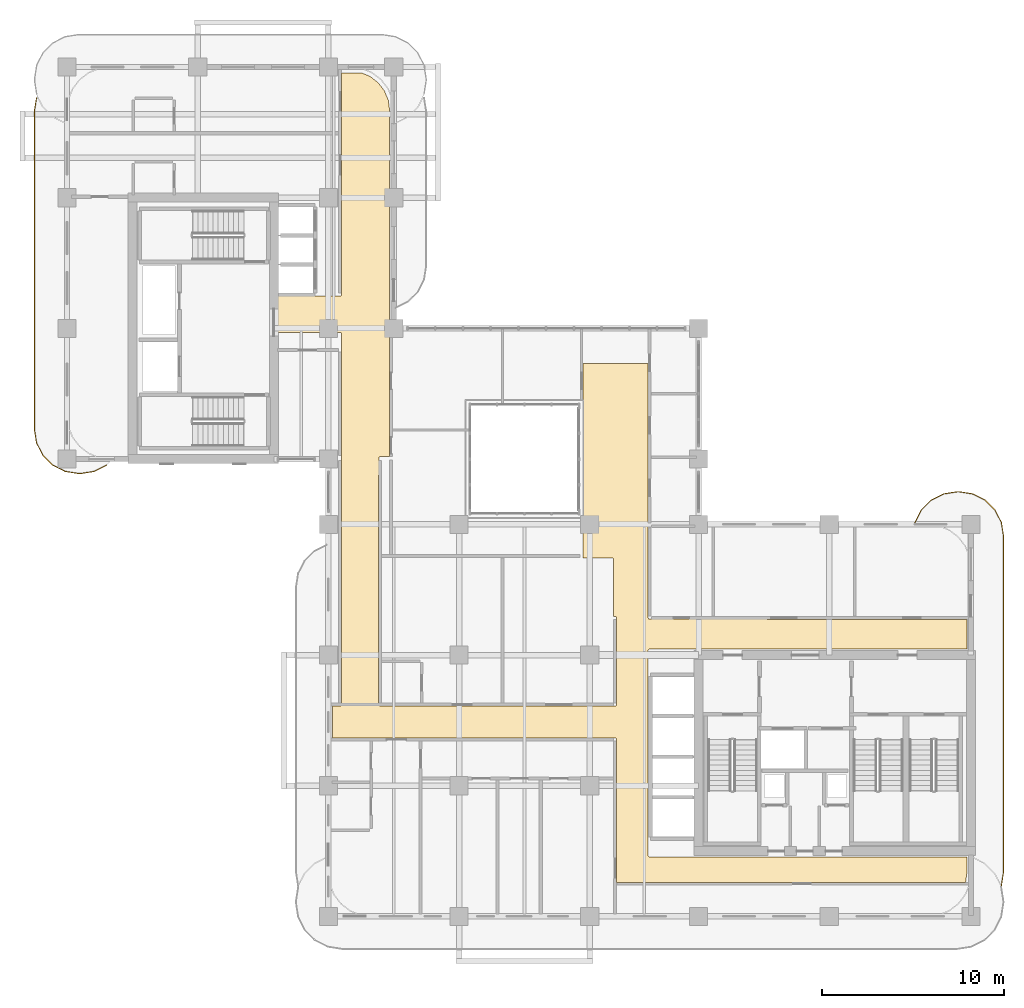
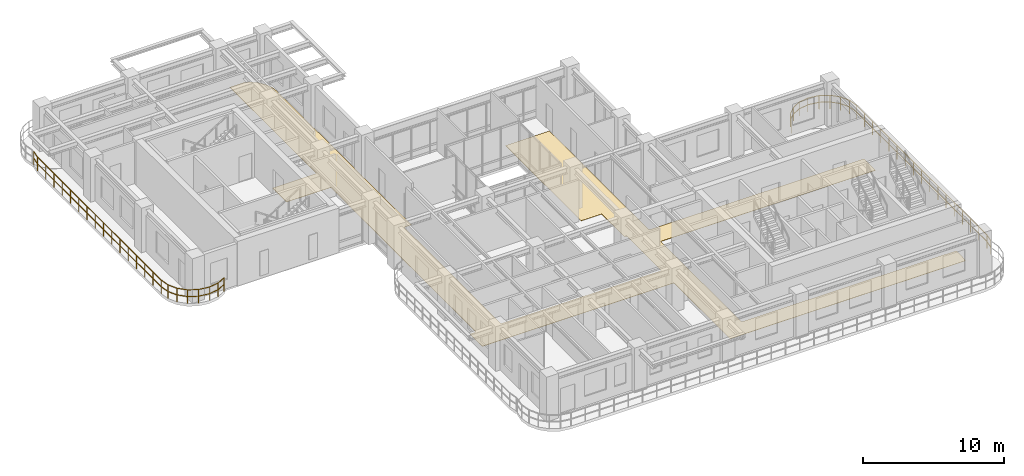
# One storey, part 19 of 20: 2 railings, 1 covering.
"""IFC4 building model written with IfcOpenShell, lengths in metres."""

import ifcopenshell
import ifcopenshell.guid

model = None  # the IFC model being written
_history = None  # IfcOwnerHistory: only IFC2X3 demands one
_inside = {}  # id of a spatial element -> (the spatial element, [elements in it])
_under = {}  # id of a project, library or spatial element -> (it, [spatial elements below it])
_declared = {}  # id of a project -> (the project, [libraries it declares])
_typed = {}  # id of a type object -> (the type object, [elements of that type])
_made_of = {}  # id of a material, layer set ... -> (it, [elements and type objects made of it])


def new_model(schema):
    """Start an empty IFC model of exactly this schema.

    Asked for "IFC4X3", IfcOpenShell would pick the latest addendum, in which some entities
    have other attributes; the version numbers below select the first issue.
    IFC2X3 requires an IfcOwnerHistory on every rooted entity: one is made here for all.
    """
    global model, _history
    if schema == "IFC4X3":
        model = ifcopenshell.file(schema_version=(4, 3, 0, 0))
    else:
        model = ifcopenshell.file(schema=schema)
    _inside.clear()
    _under.clear()
    _declared.clear()
    _typed.clear()
    _made_of.clear()
    _history = None
    if model.schema == "IFC2X3":
        org = make("IfcOrganization", Name="unknown")
        user = make(
            "IfcPersonAndOrganization",
            ThePerson=make("IfcPerson", FamilyName="unknown"),
            TheOrganization=org,
        )
        app = make(
            "IfcApplication",
            ApplicationDeveloper=org,
            Version="unknown",
            ApplicationFullName="unknown",
            ApplicationIdentifier="unknown",
        )
        _history = make(
            "IfcOwnerHistory",
            OwningUser=user,
            OwningApplication=app,
            ChangeAction="ADDED",
            CreationDate=0,
        )
    return model


def make(cls, **values):
    """One entity of the class cls with the attributes given. An attribute that is None is left unset."""
    return model.create_entity(
        cls, **{name: value for name, value in values.items() if value is not None}
    )


def rooted(cls, **values):
    """An entity with a GlobalId (a new one), such as an element, a storey or a relation."""
    return make(cls, GlobalId=ifcopenshell.guid.new(), OwnerHistory=_history, **values)


def si_unit(unit_type, name, prefix=None):
    """IfcSIUnit, for example si_unit("LENGTHUNIT", "METRE", prefix="MILLI")."""
    return make("IfcSIUnit", UnitType=unit_type, Prefix=prefix, Name=name)


def derived_unit(unit_type, elements):
    """IfcDerivedUnit: a product of units, each with its exponent."""
    return make(
        "IfcDerivedUnit",
        Elements=[
            make("IfcDerivedUnitElement", Unit=unit, Exponent=power)
            for unit, power in elements
        ],
        UnitType=unit_type,
    )


def assignment(units):
    """IfcUnitAssignment: the units of a project."""
    return None if units is None else make("IfcUnitAssignment", Units=units)


def point(xyz):
    """IfcCartesianPoint."""
    return None if xyz is None else make("IfcCartesianPoint", Coordinates=xyz)


def direction(xyz):
    """IfcDirection."""
    return None if xyz is None else make("IfcDirection", DirectionRatios=xyz)


def frame(location, z_axis=None, x_axis=None):
    """IfcAxis2Placement3D, a coordinate frame: its origin and axes. An axis left out is left unset."""
    return make(
        "IfcAxis2Placement3D",
        Location=point(location),
        Axis=direction(z_axis),
        RefDirection=direction(x_axis),
    )


def frame_2d(location, x_axis=None):
    """IfcAxis2Placement2D, a coordinate frame in the plane: its origin and x axis."""
    return make(
        "IfcAxis2Placement2D", Location=point(location), RefDirection=direction(x_axis)
    )


def origin():
    """The frame at (0, 0, 0) with its axes left unset."""
    return frame((0.0, 0.0, 0.0))


def origin_2d():
    """The frame at (0, 0) in the plane with its x axis left unset."""
    return frame_2d((0.0, 0.0))


def place(relative_to, where):
    """IfcLocalPlacement: puts the frame where relative to a parent placement (None: the world)."""
    return make(
        "IfcLocalPlacement", PlacementRelTo=relative_to, RelativePlacement=where
    )


def context(
    kind, dimensions, precision=None, world=None, true_north=None, identifier=None
):
    """IfcGeometricRepresentationContext, for example the 3D "Model" context."""
    return make(
        "IfcGeometricRepresentationContext",
        ContextIdentifier=identifier,
        ContextType=kind,
        CoordinateSpaceDimension=dimensions,
        Precision=precision,
        WorldCoordinateSystem=world,
        TrueNorth=true_north,
    )


def subcontext(parent, identifier, kind, view, scale=None):
    """IfcGeometricRepresentationSubContext, for example "Body" below "Model"."""
    return make(
        "IfcGeometricRepresentationSubContext",
        ContextIdentifier=identifier,
        ContextType=kind,
        ParentContext=parent,
        TargetScale=scale,
        TargetView=view,
    )


def project(units=None, contexts=None):
    """IfcProject with its units and contexts."""
    return rooted(
        "IfcProject",
        Name="project",
        RepresentationContexts=contexts,
        UnitsInContext=assignment(units),
    )


def spatial(cls, under=None, at=None, **own):
    """A site, building, storey or space (cls), placed at a placement, below another one or the project."""
    s = rooted(cls, ObjectPlacement=at, **own)
    if under is not None:
        _under.setdefault(under.id(), (under, []))[1].append(s)
    return s


def polyline(points):
    """IfcPolyline through the points."""
    return make("IfcPolyline", Points=[point(p) for p in points])


def profile(cls, at=None, kind="AREA", **sizes):
    """A parametric profile (cls). Its sizes go by their IFC names, for example OverallWidth=200.0."""
    return make(cls, ProfileType=kind, Position=at, **sizes)


def rectangle(**sizes):
    """IfcRectangleProfileDef."""
    return profile("IfcRectangleProfileDef", **sizes)


def outline(outer, holes=None, kind="AREA"):
    """IfcArbitraryClosedProfileDef: a profile drawn as a closed curve; with holes, ...WithVoids."""
    if holes is None:
        return make("IfcArbitraryClosedProfileDef", ProfileType=kind, OuterCurve=outer)
    return make(
        "IfcArbitraryProfileDefWithVoids",
        ProfileType=kind,
        OuterCurve=outer,
        InnerCurves=holes,
    )


def extrude(swept, where, along, depth):
    """IfcExtrudedAreaSolid: the profile swept, set in the frame where, extruded along a direction by depth."""
    return make(
        "IfcExtrudedAreaSolid",
        SweptArea=swept,
        Position=where,
        ExtrudedDirection=direction(along),
        Depth=depth,
    )


def shape(context_of_items, identifier, shape_type, items):
    """IfcShapeRepresentation: the items that make up one representation, for example the "Body"."""
    return make(
        "IfcShapeRepresentation",
        ContextOfItems=context_of_items,
        RepresentationIdentifier=identifier,
        RepresentationType=shape_type,
        Items=items,
    )


def material(Name=None, Category=None):
    """IfcMaterial."""
    return make("IfcMaterial", Name=Name, Category=Category)


def layer(
    of_material, thickness, ventilated=None, Name=None, Category=None, Priority=None
):
    """IfcMaterialLayer: one layer of a wall or slab, of a material (None: an air gap)."""
    return make(
        "IfcMaterialLayer",
        Material=of_material,
        LayerThickness=thickness,
        IsVentilated=ventilated,
        Name=Name,
        Category=Category,
        Priority=Priority,
    )


def layer_set(layers, Name=None):
    """IfcMaterialLayerSet."""
    return make("IfcMaterialLayerSet", MaterialLayers=layers, LayerSetName=Name)


def made_of(thing, what):
    """Note that an element or type object is made of a material, layer set ...; save() writes the relation."""
    if what is not None:
        _made_of.setdefault(what.id(), (what, []))[1].append(thing)
    return thing


def type_object(cls, material=None, **own):
    """A type object (cls), such as IfcWallType, which elements share."""
    return made_of(rooted(cls, **own), material)


def element(
    cls,
    number,
    at=None,
    inside=None,
    cuts=None,
    type_object=None,
    material=None,
    context=None,
    identifier="Body",
    shape_type=None,
    held_by="IfcProductDefinitionShape",
    body=None,
    shapes=None,
    **own,
):
    """One element of the class cls, such as IfcWall. Its Tag is "e" and its number.

    at: its placement. inside: the storey or other place that contains it. cuts: it is an
    opening in that element (IfcRelVoidsElement). A single representation is given by context,
    identifier, shape_type and body (its items); several are given by shapes. held_by: the class
    of the entity that holds the representations. save() writes the other relations.
    """
    e = rooted(cls, Tag="e%d" % number, ObjectPlacement=at, **own)
    if body is not None:
        shapes = [shape(context, identifier, shape_type, body)]
    if shapes is not None:
        e.Representation = make(held_by, Representations=shapes)
    if inside is not None:
        _inside.setdefault(inside.id(), (inside, []))[1].append(e)
    if cuts is not None:
        rooted(
            "IfcRelVoidsElement", RelatingBuildingElement=cuts, RelatedOpeningElement=e
        )
    if type_object is not None:
        _typed.setdefault(type_object.id(), (type_object, []))[1].append(e)
    return made_of(e, material)


def aggregate(whole, parts):
    """IfcRelAggregates: a whole, such as a stair, and the parts it consists of."""
    return rooted("IfcRelAggregates", RelatingObject=whole, RelatedObjects=parts)


def save(model, path):
    """Write the relations noted so far, then the file.

    IfcRelAggregates (storeys below a building ...), IfcRelContainedInSpatialStructure (elements
    in a storey), IfcRelDefinesByType, IfcRelAssociatesMaterial and IfcRelDeclares: one each for
    every whole, place, type object, material and project.
    """
    for whole, parts in _under.values():
        aggregate(whole, parts)
    for where, things in _inside.values():
        rooted(
            "IfcRelContainedInSpatialStructure",
            RelatedElements=things,
            RelatingStructure=where,
        )
    for kind, things in _typed.values():
        rooted("IfcRelDefinesByType", RelatedObjects=things, RelatingType=kind)
    for what, things in _made_of.values():
        rooted("IfcRelAssociatesMaterial", RelatedObjects=things, RelatingMaterial=what)
    for by, libraries in _declared.values():
        rooted("IfcRelDeclares", RelatingContext=by, RelatedDefinitions=libraries)
    model.write(path)


model = new_model("IFC4")

# Units and contexts
model_context = context("Model", 3, precision=1e-05, world=origin(), true_north=direction((0.0, 1.0)))
body_context = subcontext(model_context, "Body", "Model", "MODEL_VIEW")
ifc_project = project(units=[si_unit("LENGTHUNIT", "METRE"), si_unit("AREAUNIT", "SQUARE_METRE"), si_unit("VOLUMEUNIT", "CUBIC_METRE"), si_unit("PLANEANGLEUNIT", "RADIAN"), si_unit("MASSUNIT", "GRAM", prefix="KILO"), si_unit("THERMODYNAMICTEMPERATUREUNIT", "KELVIN"), si_unit("POWERUNIT", "WATT"), derived_unit("THERMALTRANSMITTANCEUNIT", [(si_unit("POWERUNIT", "WATT"), 1), (si_unit("AREAUNIT", "SQUARE_METRE"), -1), (si_unit("THERMODYNAMICTEMPERATUREUNIT", "KELVIN"), -1)])], contexts=[model_context])

# Site, building, storey
site_placement = place(None, origin())
site = spatial("IfcSite", under=ifc_project, at=site_placement, CompositionType="ELEMENT")
building_placement = place(site_placement, origin())
building = spatial("IfcBuilding", under=site, at=building_placement, Name="Zahravan Archway Hotel and Residences", CompositionType="ELEMENT")
storey_placement = place(building_placement, frame((0.0, 0.0, 173.39990234375)))
storey = spatial("IfcBuildingStorey", under=building, at=storey_placement, Name="L43", CompositionType="ELEMENT", Elevation=173.39990234375)

# Covering
ifc_material_1 = material(Name="Engineered Walnut Parquet Flooring")
ifc_layer = layer(ifc_material_1, 0.02197265625, Name="Engineered Walnut Parquet Flooring")
ifc_layer_set = layer_set([ifc_layer], Name="Engineered Walnut Parquet Flooring")
covering_type = type_object("IfcCoveringType", Name="COV-FLR-TIMB", PredefinedType="FLOORING", material=ifc_layer_set)
covering_placement = place(storey_placement, origin())
element("IfcCovering", 1, at=covering_placement, inside=storey, type_object=covering_type, Name="L43 Circulation Floor Finish", PredefinedType="FLOORING", context=body_context, shape_type="SweptSolid", body=[
    extrude(outline(polyline([(32.09228515625, 14.7294921875), (32.04931640625, 14.7119140625), (32.0234375, 14.673095703125), (32.02001953125, 3.35009765625), (32.033447265625, 3.3056640625), (32.0693359375, 3.276123046875), (49.580078125, 3.27001953125), (49.580078125, 2.414306640625), (49.509521484375, 1.8798828125), (30.280029296875, 1.8798828125), (30.280029296875, 9.75), (30.2666015625, 9.79443359375), (30.230712890625, 9.823974609375), (14.6201171875, 9.830078125), (14.6201171875, 11.590087890625), (15.050048828125, 11.590087890625), (15.094482421875, 11.603515625), (15.123779296875, 11.639404296875), (15.1298828125, 32.10009765625), (15.116455078125, 32.144287109375), (15.08056640625, 32.173828125), (11.530029296875, 32.179931640625), (11.530029296875, 34.169921875), (15.050048828125, 34.169921875), (15.094482421875, 34.18359375), (15.123779296875, 34.219482421875), (15.1298828125, 46.469970703125), (16.24560546875, 46.469970703125), (16.689208984375, 46.286376953125), (17.14013671875, 45.940185546875), (17.486328125, 45.489013671875), (17.703857421875, 44.9638671875), (17.77001953125, 44.46142578125), (17.77001953125, 25.330078125), (17.25, 25.330078125), (17.20556640625, 25.31640625), (17.176025390625, 25.280517578125), (17.169921875, 11.669921875), (17.18359375, 11.62548828125), (17.219482421875, 11.59619140625), (30.199951171875, 11.590087890625), (30.244384765625, 11.603515625), (30.27392578125, 11.639404296875), (30.280029296875, 16.449951171875), (30.2666015625, 16.494384765625), (30.230712890625, 16.52392578125), (30.10009765625, 16.530029296875), (30.10009765625, 19.719970703125), (30.072998046875, 19.75), (28.429931640625, 19.75), (28.429931640625, 30.469970703125), (32.02001953125, 30.469970703125), (32.02001953125, 16.449951171875), (32.033447265625, 16.405517578125), (32.0693359375, 16.376220703125), (49.580078125, 16.3701171875), (49.580078125, 14.72998046875), (32.10009765625, 14.72998046875), (32.09228515625, 14.7294921875)])), origin(), (0.0, 0.0, 1.0), 0.022216796875),
])

# Railings
ifc_material_2 = material(Name="Bronze & Laminated Glass Balustrade", Category="glass")
railing_type = type_object("IfcRailingType", Name="RL-BAL-1200", PredefinedType="BALUSTRADE", material=ifc_material_2)
railing_1_placement = place(storey_placement, frame((46.719970703125, 21.70703125, 0.0)))
element("IfcRailing", 2, at=railing_1_placement, inside=storey, type_object=railing_type, Name="L43 Balustrade RL-SLB-BAL-L43-EA-1", PredefinedType="BALUSTRADE", context=body_context, shape_type="SweptSolid", body=[
    extrude(rectangle(XDim=0.048095703125, YDim=0.048095703125, at=origin_2d()), frame((0.0, 0.0, 1.17578125), z_axis=(0.453825591531, 0.891090529897, 0.0), x_axis=(-0.891090529897, 0.453825591531, 0.0)), (0.0, 0.0, 1.0), 0.7666015625),
    extrude(rectangle(XDim=0.048095703125, YDim=0.048095703125, at=origin_2d()), frame((0.0, 0.0, 0.60009765625), z_axis=(0.453825591531, 0.891090529897, 0.0), x_axis=(-0.891090529897, 0.453825591531, 0.0)), (0.0, 0.0, 1.0), 0.7666015625),
    extrude(rectangle(XDim=0.048095703125, YDim=0.048095703125, at=origin_2d()), frame((0.347900390625, 0.68310546875, 1.17578125), z_axis=(0.707106781187, 0.707106781187, 0.0), x_axis=(-0.707106781187, 0.707106781187, 0.0)), (0.0, 0.0, 1.0), 0.7666015625),
    extrude(rectangle(XDim=0.048095703125, YDim=0.048095703125, at=origin_2d()), frame((0.347900390625, 0.68310546875, 0.60009765625), z_axis=(0.707106781187, 0.707106781187, 0.0), x_axis=(-0.707106781187, 0.707106781187, 0.0)), (0.0, 0.0, 1.0), 0.7666015625),
    extrude(rectangle(XDim=0.048095703125, YDim=0.048095703125, at=origin_2d()), frame((0.889892578125, 1.22509765625, 1.17578125), z_axis=(0.891090529897, 0.453825591531, 0.0), x_axis=(-0.453825591531, 0.891090529897, 0.0)), (0.0, 0.0, 1.0), 0.7666015625),
    extrude(rectangle(XDim=0.048095703125, YDim=0.048095703125, at=origin_2d()), frame((0.889892578125, 1.22509765625, 0.60009765625), z_axis=(0.891090529897, 0.453825591531, 0.0), x_axis=(-0.453825591531, 0.891090529897, 0.0)), (0.0, 0.0, 1.0), 0.7666015625),
    extrude(rectangle(XDim=0.048095703125, YDim=0.048095703125, at=origin_2d()), frame((1.572998046875, 1.572998046875, 1.17578125), z_axis=(0.987695728695, 0.156387811283, 0.0), x_axis=(-0.156387811283, 0.987695728695, 0.0)), (0.0, 0.0, 1.0), 0.7666015625),
    extrude(rectangle(XDim=0.048095703125, YDim=0.048095703125, at=origin_2d()), frame((1.572998046875, 1.572998046875, 0.60009765625), z_axis=(0.987695728695, 0.156387811283, 0.0), x_axis=(-0.156387811283, 0.987695728695, 0.0)), (0.0, 0.0, 1.0), 0.7666015625),
    extrude(rectangle(XDim=0.048095703125, YDim=0.048095703125, at=origin_2d()), frame((2.330078125, 1.69287109375, 1.17578125), z_axis=(1.0, 0.0, 0.0), x_axis=(0.0, 1.0, 0.0)), (0.0, 0.0, 1.0), 0.099853515625),
    extrude(rectangle(XDim=0.048095703125, YDim=0.048095703125, at=origin_2d()), frame((2.330078125, 1.69287109375, 0.60009765625), z_axis=(1.0, 0.0, 0.0), x_axis=(0.0, 1.0, 0.0)), (0.0, 0.0, 1.0), 0.099853515625),
    extrude(rectangle(XDim=0.048095703125, YDim=0.048095703125, at=origin_2d()), frame((2.429931640625, 1.69287109375, 1.17578125), z_axis=(0.987695728695, -0.156387811283, 0.0), x_axis=(0.156387811283, 0.987695728695, 0.0)), (0.0, 0.0, 1.0), 0.7666015625),
    extrude(rectangle(XDim=0.048095703125, YDim=0.048095703125, at=origin_2d()), frame((2.429931640625, 1.69287109375, 0.60009765625), z_axis=(0.987695728695, -0.156387811283, 0.0), x_axis=(0.156387811283, 0.987695728695, 0.0)), (0.0, 0.0, 1.0), 0.7666015625),
    extrude(rectangle(XDim=0.048095703125, YDim=0.048095703125, at=origin_2d()), frame((3.18701171875, 1.572998046875, 1.17578125), z_axis=(0.891090529897, -0.453825591531, 0.0), x_axis=(0.453825591531, 0.891090529897, 0.0)), (0.0, 0.0, 1.0), 0.7666015625),
    extrude(rectangle(XDim=0.048095703125, YDim=0.048095703125, at=origin_2d()), frame((3.18701171875, 1.572998046875, 0.60009765625), z_axis=(0.891090529897, -0.453825591531, 0.0), x_axis=(0.453825591531, 0.891090529897, 0.0)), (0.0, 0.0, 1.0), 0.7666015625),
    extrude(rectangle(XDim=0.048095703125, YDim=0.048095703125, at=origin_2d()), frame((3.8701171875, 1.22509765625, 1.17578125), z_axis=(0.707106781187, -0.707106781187, 0.0), x_axis=(0.707106781187, 0.707106781187, 0.0)), (0.0, 0.0, 1.0), 0.7666015625),
    extrude(rectangle(XDim=0.048095703125, YDim=0.048095703125, at=origin_2d()), frame((3.8701171875, 1.22509765625, 0.60009765625), z_axis=(0.707106781187, -0.707106781187, 0.0), x_axis=(0.707106781187, 0.707106781187, 0.0)), (0.0, 0.0, 1.0), 0.7666015625),
    extrude(rectangle(XDim=0.048095703125, YDim=0.048095703125, at=origin_2d()), frame((4.412109375, 0.68310546875, 1.17578125), z_axis=(0.453825591531, -0.891090529897, 0.0), x_axis=(0.891090529897, 0.453825591531, 0.0)), (0.0, 0.0, 1.0), 0.7666015625),
    extrude(rectangle(XDim=0.048095703125, YDim=0.048095703125, at=origin_2d()), frame((4.412109375, 0.68310546875, 0.60009765625), z_axis=(0.453825591531, -0.891090529897, 0.0), x_axis=(0.891090529897, 0.453825591531, 0.0)), (0.0, 0.0, 1.0), 0.7666015625),
    extrude(rectangle(XDim=0.048095703125, YDim=0.048095703125, at=origin_2d()), frame((4.760009765625, 0.0, 1.17578125), z_axis=(0.156698507018, -0.987646484274, 0.0), x_axis=(0.987646484274, 0.156698507018, 0.0)), (0.0, 0.0, 1.0), 0.7666015625),
    extrude(rectangle(XDim=0.048095703125, YDim=0.048095703125, at=origin_2d()), frame((4.760009765625, 0.0, 0.60009765625), z_axis=(0.156698507018, -0.987646484274, 0.0), x_axis=(0.987646484274, 0.156698507018, 0.0)), (0.0, 0.0, 1.0), 0.7666015625),
    extrude(rectangle(XDim=0.048095703125, YDim=0.048095703125, at=origin_2d()), frame((4.880126953125, -0.757080078125, 1.17578125), z_axis=(0.0, -1.0, 0.0), x_axis=(1.0, 0.0, 0.0)), (0.0, 0.0, 1.0), 18.5),
    extrude(rectangle(XDim=0.048095703125, YDim=0.048095703125, at=origin_2d()), frame((4.880126953125, -0.757080078125, 0.60009765625), z_axis=(0.0, -1.0, 0.0), x_axis=(1.0, 0.0, 0.0)), (0.0, 0.0, 1.0), 18.5),
    extrude(rectangle(XDim=0.048095703125, YDim=0.048095703125, at=origin_2d()), frame((4.880126953125, -19.257080078125, 1.17578125), z_axis=(-0.156698507018, -0.987646484274, 0.0), x_axis=(0.987646484274, -0.156698507018, 0.0)), (0.0, 0.0, 1.0), 0.7666015625),
    extrude(rectangle(XDim=0.048095703125, YDim=0.048095703125, at=origin_2d()), frame((4.880126953125, -19.257080078125, 0.60009765625), z_axis=(-0.156698507018, -0.987646484274, 0.0), x_axis=(0.987646484274, -0.156698507018, 0.0)), (0.0, 0.0, 1.0), 0.7666015625),
    extrude(rectangle(XDim=0.0419921875, YDim=0.0419921875, at=origin_2d()), origin(), (0.0, 0.0, 1.0), 1.15185546875),
    extrude(rectangle(XDim=0.0419921875, YDim=0.0419921875, at=origin_2d()), frame((0.347900390625, 0.68310546875, 0.0)), (0.0, 0.0, 1.0), 1.15185546875),
    extrude(rectangle(XDim=0.0419921875, YDim=0.0419921875, at=origin_2d()), frame((0.889892578125, 1.22509765625, 0.0)), (0.0, 0.0, 1.0), 1.15185546875),
    extrude(rectangle(XDim=0.0419921875, YDim=0.0419921875, at=origin_2d()), frame((1.572998046875, 1.572998046875, 0.0)), (0.0, 0.0, 1.0), 1.15185546875),
    extrude(rectangle(XDim=0.0419921875, YDim=0.0419921875, at=origin_2d()), frame((2.330078125, 1.69287109375, 0.0)), (0.0, 0.0, 1.0), 1.15185546875),
    extrude(rectangle(XDim=0.0419921875, YDim=0.0419921875, at=origin_2d()), frame((3.18701171875, 1.572998046875, 0.0)), (0.0, 0.0, 1.0), 1.15185546875),
    extrude(rectangle(XDim=0.0419921875, YDim=0.0419921875, at=origin_2d()), frame((3.8701171875, 1.22509765625, 0.0)), (0.0, 0.0, 1.0), 1.15185546875),
    extrude(rectangle(XDim=0.0419921875, YDim=0.0419921875, at=origin_2d()), frame((4.412109375, 0.68310546875, 0.0)), (0.0, 0.0, 1.0), 1.15185546875),
    extrude(rectangle(XDim=0.0419921875, YDim=0.0419921875, at=origin_2d()), frame((4.760009765625, 0.0, 0.0)), (0.0, 0.0, 1.0), 1.15185546875),
    extrude(rectangle(XDim=0.0419921875, YDim=0.0419921875, at=origin_2d()), frame((4.880126953125, -0.757080078125, 0.0)), (0.0, 0.0, 1.0), 1.15185546875),
    extrude(rectangle(XDim=0.0419921875, YDim=0.0419921875, at=origin_2d()), frame((4.880126953125, -1.913330078125, 0.0)), (0.0, 0.0, 1.0), 1.15185546875),
    extrude(rectangle(XDim=0.0419921875, YDim=0.0419921875, at=origin_2d()), frame((4.880126953125, -3.069580078125, 0.0)), (0.0, 0.0, 1.0), 1.15185546875),
    extrude(rectangle(XDim=0.0419921875, YDim=0.0419921875, at=origin_2d()), frame((4.880126953125, -4.225830078125, 0.0)), (0.0, 0.0, 1.0), 1.15185546875),
    extrude(rectangle(XDim=0.0419921875, YDim=0.0419921875, at=origin_2d()), frame((4.880126953125, -5.382080078125, 0.0)), (0.0, 0.0, 1.0), 1.15185546875),
    extrude(rectangle(XDim=0.0419921875, YDim=0.0419921875, at=origin_2d()), frame((4.880126953125, -6.538330078125, 0.0)), (0.0, 0.0, 1.0), 1.15185546875),
    extrude(rectangle(XDim=0.0419921875, YDim=0.0419921875, at=origin_2d()), frame((4.880126953125, -7.694580078125, 0.0)), (0.0, 0.0, 1.0), 1.15185546875),
    extrude(rectangle(XDim=0.0419921875, YDim=0.0419921875, at=origin_2d()), frame((4.880126953125, -8.850830078125, 0.0)), (0.0, 0.0, 1.0), 1.15185546875),
    extrude(rectangle(XDim=0.0419921875, YDim=0.0419921875, at=origin_2d()), frame((4.880126953125, -10.007080078125, 0.0)), (0.0, 0.0, 1.0), 1.15185546875),
    extrude(rectangle(XDim=0.0419921875, YDim=0.0419921875, at=origin_2d()), frame((4.880126953125, -11.163330078125, 0.0)), (0.0, 0.0, 1.0), 1.15185546875),
    extrude(rectangle(XDim=0.0419921875, YDim=0.0419921875, at=origin_2d()), frame((4.880126953125, -12.319580078125, 0.0)), (0.0, 0.0, 1.0), 1.15185546875),
    extrude(rectangle(XDim=0.0419921875, YDim=0.0419921875, at=origin_2d()), frame((4.880126953125, -13.475830078125, 0.0)), (0.0, 0.0, 1.0), 1.15185546875),
    extrude(rectangle(XDim=0.0419921875, YDim=0.0419921875, at=origin_2d()), frame((4.880126953125, -14.632080078125, 0.0)), (0.0, 0.0, 1.0), 1.15185546875),
    extrude(rectangle(XDim=0.0419921875, YDim=0.0419921875, at=origin_2d()), frame((4.880126953125, -15.788330078125, 0.0)), (0.0, 0.0, 1.0), 1.15185546875),
    extrude(rectangle(XDim=0.0419921875, YDim=0.0419921875, at=origin_2d()), frame((4.880126953125, -16.944580078125, 0.0)), (0.0, 0.0, 1.0), 1.15185546875),
    extrude(rectangle(XDim=0.0419921875, YDim=0.0419921875, at=origin_2d()), frame((4.880126953125, -18.100830078125, 0.0)), (0.0, 0.0, 1.0), 1.15185546875),
    extrude(rectangle(XDim=0.0419921875, YDim=0.0419921875, at=origin_2d()), frame((4.880126953125, -19.257080078125, 0.0)), (0.0, 0.0, 1.0), 1.15185546875),
    extrude(rectangle(XDim=0.0419921875, YDim=0.0419921875, at=origin_2d()), frame((4.760009765625, -20.01416015625, 0.0)), (0.0, 0.0, 1.0), 1.15185546875),
])
railing_2_placement = place(storey_placement, frame((2.190185546875, 24.867919921875, 0.0)))
element("IfcRailing", 3, at=railing_2_placement, inside=storey, type_object=railing_type, Name="L43 Balustrade RL-SLB-BAL-L43-WB-1", PredefinedType="BALUSTRADE", context=body_context, shape_type="SweptSolid", body=[
    extrude(rectangle(XDim=0.048095703125, YDim=0.048095703125, at=origin_2d()), frame((0.0, 0.0, 1.17578125), z_axis=(-0.891090529897, -0.453825591531, 0.0), x_axis=(0.453825591531, -0.891090529897, 0.0)), (0.0, 0.0, 1.0), 0.7666015625),
    extrude(rectangle(XDim=0.048095703125, YDim=0.048095703125, at=origin_2d()), frame((0.0, 0.0, 0.60009765625), z_axis=(-0.891090529897, -0.453825591531, 0.0), x_axis=(0.453825591531, -0.891090529897, 0.0)), (0.0, 0.0, 1.0), 0.7666015625),
    extrude(rectangle(XDim=0.048095703125, YDim=0.048095703125, at=origin_2d()), frame((-0.68310546875, -0.347900390625, 1.17578125), z_axis=(-0.987646484274, -0.156698507018, 0.0), x_axis=(0.156698507018, -0.987646484274, 0.0)), (0.0, 0.0, 1.0), 0.7666015625),
    extrude(rectangle(XDim=0.048095703125, YDim=0.048095703125, at=origin_2d()), frame((-0.68310546875, -0.347900390625, 0.60009765625), z_axis=(-0.987646484274, -0.156698507018, 0.0), x_axis=(0.156698507018, -0.987646484274, 0.0)), (0.0, 0.0, 1.0), 0.7666015625),
    extrude(rectangle(XDim=0.048095703125, YDim=0.048095703125, at=origin_2d()), frame((-1.440185546875, -0.468017578125, 1.17578125), z_axis=(-1.0, 0.0, 0.0), x_axis=(0.0, -1.0, 0.0)), (0.0, 0.0, 1.0), 0.10009765625),
    extrude(rectangle(XDim=0.048095703125, YDim=0.048095703125, at=origin_2d()), frame((-1.440185546875, -0.468017578125, 0.60009765625), z_axis=(-1.0, 0.0, 0.0), x_axis=(0.0, -1.0, 0.0)), (0.0, 0.0, 1.0), 0.10009765625),
    extrude(rectangle(XDim=0.048095703125, YDim=0.048095703125, at=origin_2d()), frame((-1.540283203125, -0.468017578125, 1.17578125), z_axis=(-0.987646484274, 0.156698507018, 0.0), x_axis=(-0.156698507018, -0.987646484274, 0.0)), (0.0, 0.0, 1.0), 0.7666015625),
    extrude(rectangle(XDim=0.048095703125, YDim=0.048095703125, at=origin_2d()), frame((-1.540283203125, -0.468017578125, 0.60009765625), z_axis=(-0.987646484274, 0.156698507018, 0.0), x_axis=(-0.156698507018, -0.987646484274, 0.0)), (0.0, 0.0, 1.0), 0.7666015625),
    extrude(rectangle(XDim=0.048095703125, YDim=0.048095703125, at=origin_2d()), frame((-2.29736328125, -0.347900390625, 1.17578125), z_axis=(-0.891024909783, 0.453954414172, 0.0), x_axis=(-0.453954414172, -0.891024909783, 0.0)), (0.0, 0.0, 1.0), 0.766357421875),
    extrude(rectangle(XDim=0.048095703125, YDim=0.048095703125, at=origin_2d()), frame((-2.29736328125, -0.347900390625, 0.60009765625), z_axis=(-0.891024909783, 0.453954414172, 0.0), x_axis=(-0.453954414172, -0.891024909783, 0.0)), (0.0, 0.0, 1.0), 0.766357421875),
    extrude(rectangle(XDim=0.048095703125, YDim=0.048095703125, at=origin_2d()), frame((-2.980224609375, 0.0, 1.17578125), z_axis=(-0.707106781187, 0.707106781187, 0.0), x_axis=(-0.707106781187, -0.707106781187, 0.0)), (0.0, 0.0, 1.0), 0.7666015625),
    extrude(rectangle(XDim=0.048095703125, YDim=0.048095703125, at=origin_2d()), frame((-2.980224609375, 0.0, 0.60009765625), z_axis=(-0.707106781187, 0.707106781187, 0.0), x_axis=(-0.707106781187, -0.707106781187, 0.0)), (0.0, 0.0, 1.0), 0.7666015625),
    extrude(rectangle(XDim=0.048095703125, YDim=0.048095703125, at=origin_2d()), frame((-3.522216796875, 0.5419921875, 1.17578125), z_axis=(-0.454078418624, 0.890961721815, 0.0), x_axis=(-0.890961721815, -0.454078418624, 0.0)), (0.0, 0.0, 1.0), 0.7666015625),
    extrude(rectangle(XDim=0.048095703125, YDim=0.048095703125, at=origin_2d()), frame((-3.522216796875, 0.5419921875, 0.60009765625), z_axis=(-0.454078418624, 0.890961721815, 0.0), x_axis=(-0.890961721815, -0.454078418624, 0.0)), (0.0, 0.0, 1.0), 0.7666015625),
    extrude(rectangle(XDim=0.048095703125, YDim=0.048095703125, at=origin_2d()), frame((-3.870361328125, 1.22509765625, 1.17578125), z_axis=(-0.156387811283, 0.987695728695, 0.0), x_axis=(-0.987695728695, -0.156387811283, 0.0)), (0.0, 0.0, 1.0), 0.7666015625),
    extrude(rectangle(XDim=0.048095703125, YDim=0.048095703125, at=origin_2d()), frame((-3.870361328125, 1.22509765625, 0.60009765625), z_axis=(-0.156387811283, 0.987695728695, 0.0), x_axis=(-0.987695728695, -0.156387811283, 0.0)), (0.0, 0.0, 1.0), 0.7666015625),
    extrude(rectangle(XDim=0.048095703125, YDim=0.048095703125, at=origin_2d()), frame((-3.990234375, 1.982177734375, 1.17578125), z_axis=(0.0, 1.0, 0.0), x_axis=(-1.0, 0.0, 0.0)), (0.0, 0.0, 1.0), 17.5),
    extrude(rectangle(XDim=0.048095703125, YDim=0.048095703125, at=origin_2d()), frame((-3.990234375, 1.982177734375, 0.60009765625), z_axis=(0.0, 1.0, 0.0), x_axis=(-1.0, 0.0, 0.0)), (0.0, 0.0, 1.0), 17.5),
    extrude(rectangle(XDim=0.048095703125, YDim=0.048095703125, at=origin_2d()), frame((-3.990234375, 19.482177734375, 1.17578125), z_axis=(0.156387811283, 0.987695728695, 0.0), x_axis=(-0.987695728695, 0.156387811283, 0.0)), (0.0, 0.0, 1.0), 0.7666015625),
    extrude(rectangle(XDim=0.048095703125, YDim=0.048095703125, at=origin_2d()), frame((-3.990234375, 19.482177734375, 0.60009765625), z_axis=(0.156387811283, 0.987695728695, 0.0), x_axis=(-0.987695728695, 0.156387811283, 0.0)), (0.0, 0.0, 1.0), 0.7666015625),
    extrude(rectangle(XDim=0.0419921875, YDim=0.0419921875, at=origin_2d()), origin(), (0.0, 0.0, 1.0), 1.15185546875),
    extrude(rectangle(XDim=0.0419921875, YDim=0.0419921875, at=origin_2d()), frame((-0.68310546875, -0.347900390625, 0.0)), (0.0, 0.0, 1.0), 1.15185546875),
    extrude(rectangle(XDim=0.0419921875, YDim=0.0419921875, at=origin_2d()), frame((-1.440185546875, -0.468017578125, 0.0)), (0.0, 0.0, 1.0), 1.15185546875),
    extrude(rectangle(XDim=0.0419921875, YDim=0.0419921875, at=origin_2d()), frame((-2.29736328125, -0.347900390625, 0.0)), (0.0, 0.0, 1.0), 1.15185546875),
    extrude(rectangle(XDim=0.0419921875, YDim=0.0419921875, at=origin_2d()), frame((-2.980224609375, 0.0, 0.0)), (0.0, 0.0, 1.0), 1.15185546875),
    extrude(rectangle(XDim=0.0419921875, YDim=0.0419921875, at=origin_2d()), frame((-3.522216796875, 0.5419921875, 0.0)), (0.0, 0.0, 1.0), 1.15185546875),
    extrude(rectangle(XDim=0.0419921875, YDim=0.0419921875, at=origin_2d()), frame((-3.870361328125, 1.22509765625, 0.0)), (0.0, 0.0, 1.0), 1.15185546875),
    extrude(rectangle(XDim=0.0419921875, YDim=0.0419921875, at=origin_2d()), frame((-3.990234375, 1.982177734375, 0.0)), (0.0, 0.0, 1.0), 1.15185546875),
    extrude(rectangle(XDim=0.0419921875, YDim=0.0419921875, at=origin_2d()), frame((-3.990234375, 3.14892578125, 0.0)), (0.0, 0.0, 1.0), 1.15185546875),
    extrude(rectangle(XDim=0.0419921875, YDim=0.0419921875, at=origin_2d()), frame((-3.990234375, 4.3154296875, 0.0)), (0.0, 0.0, 1.0), 1.15185546875),
    extrude(rectangle(XDim=0.0419921875, YDim=0.0419921875, at=origin_2d()), frame((-3.990234375, 5.482177734375, 0.0)), (0.0, 0.0, 1.0), 1.15185546875),
    extrude(rectangle(XDim=0.0419921875, YDim=0.0419921875, at=origin_2d()), frame((-3.990234375, 6.64892578125, 0.0)), (0.0, 0.0, 1.0), 1.15185546875),
    extrude(rectangle(XDim=0.0419921875, YDim=0.0419921875, at=origin_2d()), frame((-3.990234375, 7.8154296875, 0.0)), (0.0, 0.0, 1.0), 1.15185546875),
    extrude(rectangle(XDim=0.0419921875, YDim=0.0419921875, at=origin_2d()), frame((-3.990234375, 8.982177734375, 0.0)), (0.0, 0.0, 1.0), 1.15185546875),
    extrude(rectangle(XDim=0.0419921875, YDim=0.0419921875, at=origin_2d()), frame((-3.990234375, 10.14892578125, 0.0)), (0.0, 0.0, 1.0), 1.15185546875),
    extrude(rectangle(XDim=0.0419921875, YDim=0.0419921875, at=origin_2d()), frame((-3.990234375, 11.3154296875, 0.0)), (0.0, 0.0, 1.0), 1.15185546875),
    extrude(rectangle(XDim=0.0419921875, YDim=0.0419921875, at=origin_2d()), frame((-3.990234375, 12.482177734375, 0.0)), (0.0, 0.0, 1.0), 1.15185546875),
    extrude(rectangle(XDim=0.0419921875, YDim=0.0419921875, at=origin_2d()), frame((-3.990234375, 13.64892578125, 0.0)), (0.0, 0.0, 1.0), 1.15185546875),
    extrude(rectangle(XDim=0.0419921875, YDim=0.0419921875, at=origin_2d()), frame((-3.990234375, 14.8154296875, 0.0)), (0.0, 0.0, 1.0), 1.15185546875),
    extrude(rectangle(XDim=0.0419921875, YDim=0.0419921875, at=origin_2d()), frame((-3.990234375, 15.982177734375, 0.0)), (0.0, 0.0, 1.0), 1.15185546875),
    extrude(rectangle(XDim=0.0419921875, YDim=0.0419921875, at=origin_2d()), frame((-3.990234375, 17.14892578125, 0.0)), (0.0, 0.0, 1.0), 1.15185546875),
    extrude(rectangle(XDim=0.0419921875, YDim=0.0419921875, at=origin_2d()), frame((-3.990234375, 18.3154296875, 0.0)), (0.0, 0.0, 1.0), 1.15185546875),
    extrude(rectangle(XDim=0.0419921875, YDim=0.0419921875, at=origin_2d()), frame((-3.990234375, 19.482177734375, 0.0)), (0.0, 0.0, 1.0), 1.15185546875),
    extrude(rectangle(XDim=0.0419921875, YDim=0.0419921875, at=origin_2d()), frame((-3.870361328125, 20.2392578125, 0.0)), (0.0, 0.0, 1.0), 1.15185546875),
])

save(model, "model.ifc")
